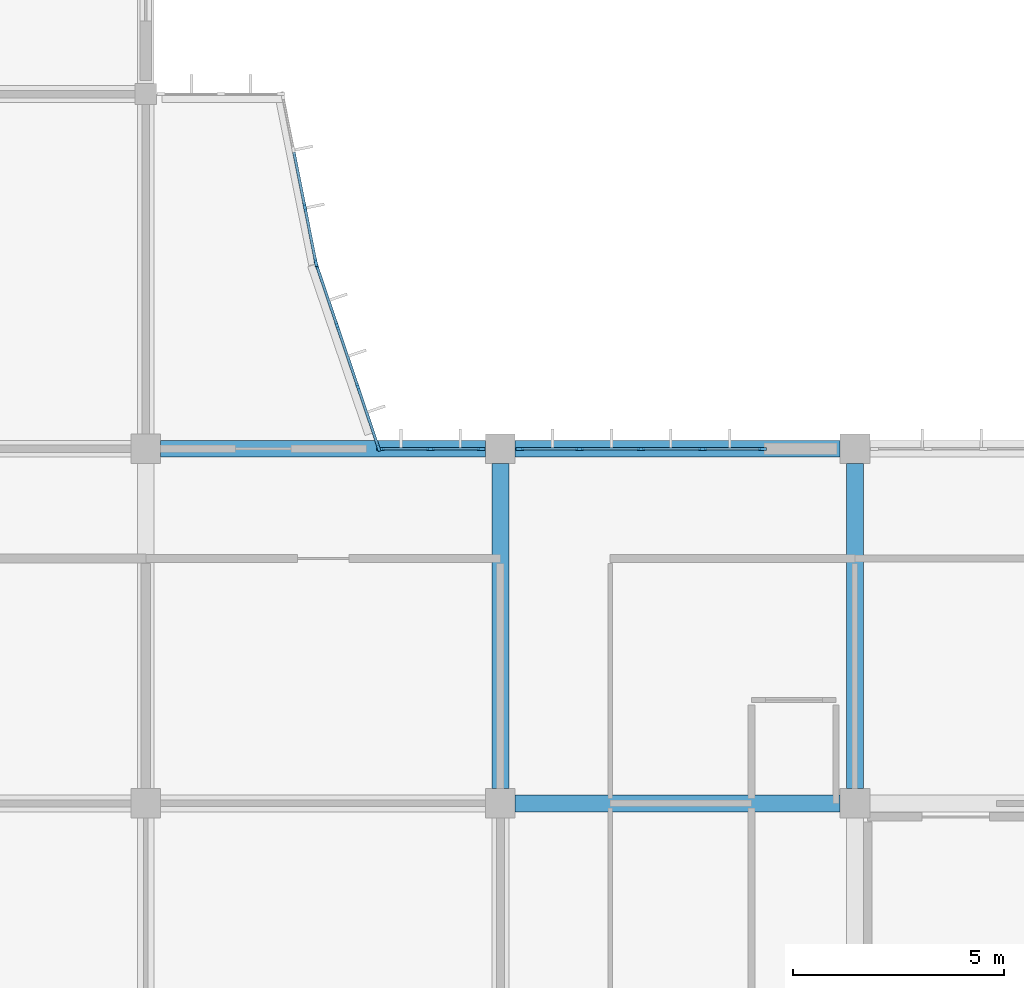
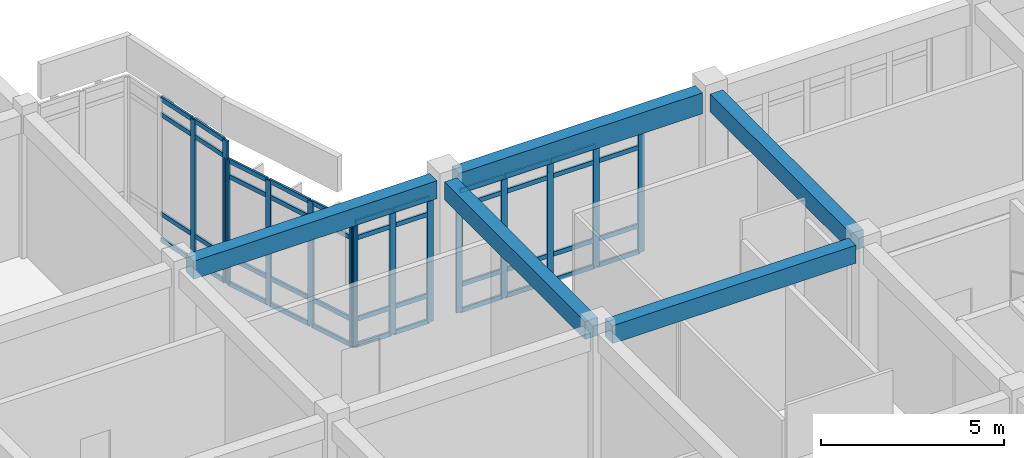
# One storey, part 56 of 134: 57 members, 5 beams, 4 elements without a shape of their own.
"""IFC4 building model written with IfcOpenShell, lengths in metres."""

from ifc_helpers import new_model, si_unit, direction, frame, origin, origin_2d, place, context, subcontext, project, spatial, rectangle, extrude, material, layer, layer_set, material_profile, profile_set, type_object, element, aggregate, save


model = new_model("IFC4")

# Units and contexts
model_context = context("Model", 3, precision=1e-05, world=origin(), true_north=direction((0.0, 1.0)))
body_context = subcontext(model_context, "Body", "Model", "MODEL_VIEW")
ifc_project = project(units=[si_unit("LENGTHUNIT", "METRE"), si_unit("AREAUNIT", "SQUARE_METRE"), si_unit("VOLUMEUNIT", "CUBIC_METRE"), si_unit("PLANEANGLEUNIT", "RADIAN"), si_unit("MASSUNIT", "GRAM", prefix="KILO")], contexts=[model_context])

# Site, building, storey
site_placement = place(None, origin())
site = spatial("IfcSite", under=ifc_project, at=site_placement, CompositionType="ELEMENT")
building_placement = place(site_placement, origin())
building = spatial("IfcBuilding", under=site, at=building_placement, Name="Bramfleet General Hospital", CompositionType="ELEMENT")
storey_placement = place(building_placement, frame((0.0, 0.0, 9.300048828125)))
storey = spatial("IfcBuildingStorey", under=building, at=storey_placement, Name="L02", CompositionType="ELEMENT", Elevation=9.300048828125)

# Beams
ifc_material_1 = material(Name="Concrete C35/45", Category="concrete")
ifc_material_profile_1 = material_profile(ifc_material_1, rectangle(XDim=0.39990234375, YDim=0.60009765625, at=origin_2d()), Name="RC BM 600x400")
ifc_profile_set_1 = profile_set([ifc_material_profile_1], Name="Concrete C35/45")
beam_type_1 = type_object("IfcBeamType", Name="BM-RC600", PredefinedType="BEAM", material=ifc_profile_set_1)
for number, where, z_axis, x_axis, name in (
    (1, (126.35009765625, 25.199951171875, 4.47998046875), (1.0, 0.0, 0.0), (0.0, 1.0, 0.0), "L02 Grid Beam X 15-03"),
    (2, (134.75, 16.800048828125, 4.47998046875), (1.0, 0.0, 0.0), (0.0, 1.0, 0.0), "L02 Grid Beam X 16-02"),
):
    element("IfcBeam", number, at=place(storey_placement, frame(where, z_axis=z_axis, x_axis=x_axis)), inside=storey, type_object=beam_type_1, Name=name, PredefinedType="BEAM", context=body_context, shape_type="SweptSolid", body=[
        extrude(rectangle(XDim=0.39990234375, YDim=0.60009765625, at=origin_2d()), origin(), (0.0, 0.0, 1.0), 7.699951171875),
    ])
for number, where, z_axis, x_axis, name in (
    (3, (134.39990234375, 17.14990234375, 4.47998046875), (0.0, 1.0, 0.0), (-1.0, 0.0, 0.0), "L02 Grid Beam Y 16-02"),
    (4, (142.800048828125, 17.14990234375, 4.47998046875), (0.0, 1.0, 0.0), (-1.0, 0.0, 0.0), "L02 Grid Beam Y 17-02"),
):
    element("IfcBeam", number, at=place(storey_placement, frame(where, z_axis=z_axis, x_axis=x_axis)), inside=storey, type_object=beam_type_1, Name=name, PredefinedType="BEAM", context=body_context, shape_type="SweptSolid", body=[
        extrude(rectangle(XDim=0.39990234375, YDim=0.60009765625, at=origin_2d()), origin(), (0.0, 0.0, 1.0), 7.7001953125),
    ])
ifc_material_profile_2 = material_profile(ifc_material_1, rectangle(XDim=0.39990234375, YDim=0.699951171875, at=origin_2d()), Name="RC SP 700x400")
ifc_profile_set_2 = profile_set([ifc_material_profile_2], Name="Concrete C35/45")
beam_type_2 = type_object("IfcBeamType", Name="BM-SP700", PredefinedType="SPANDREL", material=ifc_profile_set_2)
beam_placement = place(storey_placement, frame((134.75, 25.199951171875, 4.429931640625), z_axis=(1.0, 0.0, 0.0), x_axis=(0.0, 1.0, 0.0)))
element("IfcBeam", 5, at=beam_placement, inside=storey, type_object=beam_type_2, Name="L02 Grid Beam X 16-03", PredefinedType="SPANDREL", context=body_context, shape_type="SweptSolid", body=[
    extrude(rectangle(XDim=0.39990234375, YDim=0.699951171875, at=origin_2d()), origin(), (0.0, 0.0, 1.0), 7.699951171875),
])

# Curtain wall, members
ifc_material_2 = material(Name="Anodised aluminium and low-E triple glazing", Category="aluminium")
ifc_layer_1 = layer(ifc_material_2, 0.179931640625, Name="CWT-CW-08")
ifc_layer_set_1 = layer_set([ifc_layer_1], Name="Anodised aluminium and low-E triple glazing")
curtain_wall_type_1 = type_object("IfcCurtainWallType", Name="CWT-CW-08", PredefinedType="USERDEFINED", material=ifc_layer_set_1)
curtain_wall_1_placement = place(storey_placement, origin())
curtain_wall_1 = element("IfcCurtainWall", 6, at=curtain_wall_1_placement, inside=storey, type_object=curtain_wall_type_1, Name="L02 Curtain Wall 116", ObjectType="Unitised curtain wall", PredefinedType="USERDEFINED")
ifc_material_3 = material(Name="Structural timber GL28h", Category="wood")
ifc_material_profile_3 = material_profile(ifc_material_3, rectangle(XDim=0.070068359375, YDim=0.18994140625, at=origin_2d()), Name="LARCH 190x70")
ifc_profile_set_3 = profile_set([ifc_material_profile_3], Name="Structural timber GL28h")
member_type_1 = type_object("IfcMemberType", Name="CWM-LARCH450", PredefinedType="MULLION", material=ifc_profile_set_3)
member_1_placement = place(storey_placement, frame((129.76904296875, 30.91796875, 0.0), z_axis=(0.0, 0.0, 1.0), x_axis=(0.980749087161, 0.195272189606, 0.0)))
member_1 = element("IfcMember", 7, at=member_1_placement, type_object=member_type_1, Name="CW-08 mullion 3", PredefinedType="MULLION", context=body_context, shape_type="SweptSolid", body=[
    extrude(rectangle(XDim=0.070068359375, YDim=0.18994140625, at=origin_2d()), origin(), (0.0, 0.0, 1.0), 4.77001953125),
])
member_2_placement = place(storey_placement, frame((130.029052734375, 29.611328125, 0.0), z_axis=(0.0, 0.0, 1.0), x_axis=(0.980749087161, 0.195272189606, 0.0)))
member_2 = element("IfcMember", 8, at=member_2_placement, type_object=member_type_1, Name="CW-08 mullion 4", PredefinedType="MULLION", context=body_context, shape_type="SweptSolid", body=[
    extrude(rectangle(XDim=0.070068359375, YDim=0.18994140625, at=origin_2d()), origin(), (0.0, 0.0, 1.0), 4.77001953125),
])

ifc_layer_2 = layer(ifc_material_2, 0.179931640625, Name="CWT-CW-09")
ifc_layer_set_2 = layer_set([ifc_layer_2], Name="Anodised aluminium and low-E triple glazing")
curtain_wall_type_2 = type_object("IfcCurtainWallType", Name="CWT-CW-09", PredefinedType="USERDEFINED", material=ifc_layer_set_2)
curtain_wall_2_placement = place(storey_placement, origin())
curtain_wall_2 = element("IfcCurtainWall", 9, at=curtain_wall_2_placement, inside=storey, type_object=curtain_wall_type_2, Name="L02 Curtain Wall 117", ObjectType="Unitised curtain wall", PredefinedType="USERDEFINED")
member_3_placement = place(storey_placement, frame((130.04736328125, 29.5439453125, 0.0), z_axis=(0.0, 0.0, 1.0), x_axis=(0.94698222676, 0.321285950829, 0.0)))
member_3 = element("IfcMember", 10, at=member_3_placement, type_object=member_type_1, Name="CW-09 mullion 1", PredefinedType="MULLION", context=body_context, shape_type="SweptSolid", body=[
    extrude(rectangle(XDim=0.070068359375, YDim=0.18994140625, at=origin_2d()), origin(), (0.0, 0.0, 1.0), 4.169921875),
])
member_4_placement = place(storey_placement, frame((130.531005859375, 28.117919921875, 0.0), z_axis=(0.0, 0.0, 1.0), x_axis=(0.94698222676, 0.321285950829, 0.0)))
member_4 = element("IfcMember", 11, at=member_4_placement, type_object=member_type_1, Name="CW-09 mullion 2", PredefinedType="MULLION", context=body_context, shape_type="SweptSolid", body=[
    extrude(rectangle(XDim=0.070068359375, YDim=0.18994140625, at=origin_2d()), origin(), (0.0, 0.0, 1.0), 4.169921875),
])
member_5_placement = place(storey_placement, frame((131.02587890625, 26.658935546875, 0.0), z_axis=(0.0, 0.0, 1.0), x_axis=(0.94698222676, 0.321285950829, 0.0)))
member_5 = element("IfcMember", 12, at=member_5_placement, type_object=member_type_1, Name="CW-09 mullion 3", PredefinedType="MULLION", context=body_context, shape_type="SweptSolid", body=[
    extrude(rectangle(XDim=0.070068359375, YDim=0.18994140625, at=origin_2d()), origin(), (0.0, 0.0, 1.0), 4.169921875),
])
member_6_placement = place(storey_placement, frame((131.509765625, 25.233154296875, 0.0), z_axis=(0.0, 0.0, 1.0), x_axis=(0.94698222676, 0.321285950829, 0.0)))
member_6 = element("IfcMember", 13, at=member_6_placement, type_object=member_type_1, Name="CW-09 mullion 4", PredefinedType="MULLION", context=body_context, shape_type="SweptSolid", body=[
    extrude(rectangle(XDim=0.070068359375, YDim=0.18994140625, at=origin_2d()), origin(), (0.0, 0.0, 1.0), 4.169921875),
])

ifc_layer_3 = layer(ifc_material_2, 0.179931640625, Name="CWT-CW-10")
ifc_layer_set_3 = layer_set([ifc_layer_3], Name="Anodised aluminium and low-E triple glazing")
curtain_wall_type_3 = type_object("IfcCurtainWallType", Name="CWT-CW-10", PredefinedType="USERDEFINED", material=ifc_layer_set_3)
curtain_wall_3_placement = place(storey_placement, origin())
curtain_wall_3 = element("IfcCurtainWall", 14, at=curtain_wall_3_placement, inside=storey, type_object=curtain_wall_type_3, Name="L02 Curtain Wall 118", ObjectType="Stick curtain wall", PredefinedType="USERDEFINED")
member_7_placement = place(storey_placement, frame((131.555908203125, 25.199951171875, 0.0), z_axis=(0.0, 0.0, 1.0), x_axis=(0.0, 1.0, 0.0)))
member_7 = element("IfcMember", 15, at=member_7_placement, type_object=member_type_1, Name="CW-10 mullion 1", PredefinedType="MULLION", context=body_context, shape_type="SweptSolid", body=[
    extrude(rectangle(XDim=0.070068359375, YDim=0.18994140625, at=origin_2d()), origin(), (0.0, 0.0, 1.0), 4.169921875),
])
member_8_placement = place(storey_placement, frame((132.748046875, 25.199951171875, 0.0), z_axis=(0.0, 0.0, 1.0), x_axis=(0.0, 1.0, 0.0)))
member_8 = element("IfcMember", 16, at=member_8_placement, type_object=member_type_1, Name="CW-10 mullion 2", PredefinedType="MULLION", context=body_context, shape_type="SweptSolid", body=[
    extrude(rectangle(XDim=0.070068359375, YDim=0.18994140625, at=origin_2d()), origin(), (0.0, 0.0, 1.0), 4.169921875),
])
member_9_placement = place(storey_placement, frame((133.93994140625, 25.199951171875, 0.0), z_axis=(0.0, 0.0, 1.0), x_axis=(0.0, 1.0, 0.0)))
member_9 = element("IfcMember", 17, at=member_9_placement, type_object=member_type_1, Name="CW-10 mullion 3", PredefinedType="MULLION", context=body_context, shape_type="SweptSolid", body=[
    extrude(rectangle(XDim=0.070068359375, YDim=0.18994140625, at=origin_2d()), origin(), (0.0, 0.0, 1.0), 4.169921875),
])

ifc_layer_4 = layer(ifc_material_2, 0.179931640625, Name="CWT-CW-11")
ifc_layer_set_4 = layer_set([ifc_layer_4], Name="Anodised aluminium and low-E triple glazing")
curtain_wall_type_4 = type_object("IfcCurtainWallType", Name="CWT-CW-11", PredefinedType="USERDEFINED", material=ifc_layer_set_4)
curtain_wall_4_placement = place(storey_placement, origin())
curtain_wall_4 = element("IfcCurtainWall", 18, at=curtain_wall_4_placement, inside=storey, type_object=curtain_wall_type_4, Name="L02 Curtain Wall 119", ObjectType="Stick curtain wall", PredefinedType="USERDEFINED")
member_10_placement = place(storey_placement, frame((134.860107421875, 25.199951171875, 0.0), z_axis=(0.0, 0.0, 1.0), x_axis=(0.0, 1.0, 0.0)))
member_10 = element("IfcMember", 19, at=member_10_placement, type_object=member_type_1, Name="CW-11 mullion 1", PredefinedType="MULLION", context=body_context, shape_type="SweptSolid", body=[
    extrude(rectangle(XDim=0.070068359375, YDim=0.18994140625, at=origin_2d()), origin(), (0.0, 0.0, 1.0), 4.070068359375),
])
member_11_placement = place(storey_placement, frame((136.279052734375, 25.199951171875, 0.0), z_axis=(0.0, 0.0, 1.0), x_axis=(0.0, 1.0, 0.0)))
member_11 = element("IfcMember", 20, at=member_11_placement, type_object=member_type_1, Name="CW-11 mullion 2", PredefinedType="MULLION", context=body_context, shape_type="SweptSolid", body=[
    extrude(rectangle(XDim=0.070068359375, YDim=0.18994140625, at=origin_2d()), origin(), (0.0, 0.0, 1.0), 4.070068359375),
])
member_12_placement = place(storey_placement, frame((137.73291015625, 25.199951171875, 0.0), z_axis=(0.0, 0.0, 1.0), x_axis=(0.0, 1.0, 0.0)))
member_12 = element("IfcMember", 21, at=member_12_placement, type_object=member_type_1, Name="CW-11 mullion 3", PredefinedType="MULLION", context=body_context, shape_type="SweptSolid", body=[
    extrude(rectangle(XDim=0.070068359375, YDim=0.18994140625, at=origin_2d()), origin(), (0.0, 0.0, 1.0), 4.070068359375),
])
member_13_placement = place(storey_placement, frame((139.18701171875, 25.199951171875, 0.0), z_axis=(0.0, 0.0, 1.0), x_axis=(0.0, 1.0, 0.0)))
member_13 = element("IfcMember", 22, at=member_13_placement, type_object=member_type_1, Name="CW-11 mullion 4", PredefinedType="MULLION", context=body_context, shape_type="SweptSolid", body=[
    extrude(rectangle(XDim=0.070068359375, YDim=0.18994140625, at=origin_2d()), origin(), (0.0, 0.0, 1.0), 4.070068359375),
])
member_14_placement = place(storey_placement, frame((140.60595703125, 25.199951171875, 0.0), z_axis=(0.0, 0.0, 1.0), x_axis=(0.0, 1.0, 0.0)))
member_14 = element("IfcMember", 23, at=member_14_placement, type_object=member_type_1, Name="CW-11 mullion 5", PredefinedType="MULLION", context=body_context, shape_type="SweptSolid", body=[
    extrude(rectangle(XDim=0.070068359375, YDim=0.18994140625, at=origin_2d()), origin(), (0.0, 0.0, 1.0), 4.070068359375),
])

# Member
ifc_material_profile_4 = material_profile(ifc_material_3, rectangle(XDim=0.06494140625, YDim=0.14990234375, at=origin_2d()), Name="LARCH 150x65")
ifc_profile_set_4 = profile_set([ifc_material_profile_4], Name="Structural timber GL28h")
member_type_2 = type_object("IfcMemberType", Name="CWT-LARCH220", PredefinedType="USERDEFINED", material=ifc_profile_set_4)
member_15_placement = place(storey_placement, frame((129.5087890625, 32.224609375, 0.032470703125), z_axis=(0.195356020565, -0.98073239226, 0.0), x_axis=(0.98073239226, 0.195356020565, 0.0)))
member_15 = element("IfcMember", 24, at=member_15_placement, type_object=member_type_2, Name="CW-08 transom 2.1", ObjectType="TRANSOM", PredefinedType="USERDEFINED", context=body_context, shape_type="SweptSolid", body=[
    extrude(rectangle(XDim=0.06494140625, YDim=0.14990234375, at=origin_2d()), origin(), (0.0, 0.0, 1.0), 1.297119140625),
])

member_16_placement = place(storey_placement, frame((129.5087890625, 32.224609375, 0.89990234375), z_axis=(0.195356020565, -0.98073239226, 0.0), x_axis=(0.98073239226, 0.195356020565, 0.0)))
member_16 = element("IfcMember", 25, at=member_16_placement, type_object=member_type_2, Name="CW-08 transom 2.2", ObjectType="TRANSOM", PredefinedType="USERDEFINED", context=body_context, shape_type="SweptSolid", body=[
    extrude(rectangle(XDim=0.06494140625, YDim=0.14990234375, at=origin_2d()), origin(), (0.0, 0.0, 1.0), 1.297119140625),
])

member_17_placement = place(storey_placement, frame((129.5087890625, 32.224609375, 4.219970703125), z_axis=(0.195356020565, -0.98073239226, 0.0), x_axis=(0.98073239226, 0.195356020565, 0.0)))
member_17 = element("IfcMember", 26, at=member_17_placement, type_object=member_type_2, Name="CW-08 transom 2.3", ObjectType="TRANSOM", PredefinedType="USERDEFINED", context=body_context, shape_type="SweptSolid", body=[
    extrude(rectangle(XDim=0.06494140625, YDim=0.14990234375, at=origin_2d()), origin(), (0.0, 0.0, 1.0), 1.297119140625),
])

member_18_placement = place(storey_placement, frame((129.5087890625, 32.224609375, 4.737548828125), z_axis=(0.195356020565, -0.98073239226, 0.0), x_axis=(0.98073239226, 0.195356020565, 0.0)))
member_18 = element("IfcMember", 27, at=member_18_placement, type_object=member_type_2, Name="CW-08 transom 2.4", ObjectType="TRANSOM", PredefinedType="USERDEFINED", context=body_context, shape_type="SweptSolid", body=[
    extrude(rectangle(XDim=0.06494140625, YDim=0.14990234375, at=origin_2d()), origin(), (0.0, 0.0, 1.0), 1.297119140625),
])

member_19_placement = place(storey_placement, frame((129.77587890625, 30.8837890625, 0.032470703125), z_axis=(0.195148998153, -0.980773607169, 0.0), x_axis=(0.980773607169, 0.195148998153, 0.0)))
member_19 = element("IfcMember", 28, at=member_19_placement, type_object=member_type_2, Name="CW-08 transom 3.1", ObjectType="TRANSOM", PredefinedType="USERDEFINED", context=body_context, shape_type="SweptSolid", body=[
    extrude(rectangle(XDim=0.06494140625, YDim=0.14990234375, at=origin_2d()), origin(), (0.0, 0.0, 1.0), 1.26220703125),
])

member_20_placement = place(storey_placement, frame((129.77587890625, 30.8837890625, 0.89990234375), z_axis=(0.195148998153, -0.980773607169, 0.0), x_axis=(0.980773607169, 0.195148998153, 0.0)))
member_20 = element("IfcMember", 29, at=member_20_placement, type_object=member_type_2, Name="CW-08 transom 3.2", ObjectType="TRANSOM", PredefinedType="USERDEFINED", context=body_context, shape_type="SweptSolid", body=[
    extrude(rectangle(XDim=0.06494140625, YDim=0.14990234375, at=origin_2d()), origin(), (0.0, 0.0, 1.0), 1.26220703125),
])

member_21_placement = place(storey_placement, frame((129.77587890625, 30.8837890625, 4.219970703125), z_axis=(0.195148998153, -0.980773607169, 0.0), x_axis=(0.980773607169, 0.195148998153, 0.0)))
member_21 = element("IfcMember", 30, at=member_21_placement, type_object=member_type_2, Name="CW-08 transom 3.3", ObjectType="TRANSOM", PredefinedType="USERDEFINED", context=body_context, shape_type="SweptSolid", body=[
    extrude(rectangle(XDim=0.06494140625, YDim=0.14990234375, at=origin_2d()), origin(), (0.0, 0.0, 1.0), 1.26220703125),
])

member_22_placement = place(storey_placement, frame((129.77587890625, 30.8837890625, 4.737548828125), z_axis=(0.195148998153, -0.980773607169, 0.0), x_axis=(0.980773607169, 0.195148998153, 0.0)))
member_22 = element("IfcMember", 31, at=member_22_placement, type_object=member_type_2, Name="CW-08 transom 3.4", ObjectType="TRANSOM", PredefinedType="USERDEFINED", context=body_context, shape_type="SweptSolid", body=[
    extrude(rectangle(XDim=0.06494140625, YDim=0.14990234375, at=origin_2d()), origin(), (0.0, 0.0, 1.0), 1.26220703125),
])

aggregate(curtain_wall_1, [member_1, member_2, member_15, member_16, member_17, member_18, member_19, member_20, member_21, member_22])

member_23_placement = place(storey_placement, frame((130.05859375, 29.5107421875, 0.032470703125), z_axis=(0.321222819533, -0.947003643188, 0.0), x_axis=(0.947003643188, 0.321222819533, 0.0)))
member_23 = element("IfcMember", 32, at=member_23_placement, type_object=member_type_2, Name="CW-09 transom 1.1", ObjectType="TRANSOM", PredefinedType="USERDEFINED", context=body_context, shape_type="SweptSolid", body=[
    extrude(rectangle(XDim=0.06494140625, YDim=0.14990234375, at=origin_2d()), origin(), (0.0, 0.0, 1.0), 1.435791015625),
])

member_24_placement = place(storey_placement, frame((130.05859375, 29.5107421875, 0.89990234375), z_axis=(0.321222819533, -0.947003643188, 0.0), x_axis=(0.947003643188, 0.321222819533, 0.0)))
member_24 = element("IfcMember", 33, at=member_24_placement, type_object=member_type_2, Name="CW-09 transom 1.2", ObjectType="TRANSOM", PredefinedType="USERDEFINED", context=body_context, shape_type="SweptSolid", body=[
    extrude(rectangle(XDim=0.06494140625, YDim=0.14990234375, at=origin_2d()), origin(), (0.0, 0.0, 1.0), 1.435791015625),
])

member_25_placement = place(storey_placement, frame((130.05859375, 29.5107421875, 3.619873046875), z_axis=(0.321222819533, -0.947003643188, 0.0), x_axis=(0.947003643188, 0.321222819533, 0.0)))
member_25 = element("IfcMember", 34, at=member_25_placement, type_object=member_type_2, Name="CW-09 transom 1.3", ObjectType="TRANSOM", PredefinedType="USERDEFINED", context=body_context, shape_type="SweptSolid", body=[
    extrude(rectangle(XDim=0.06494140625, YDim=0.14990234375, at=origin_2d()), origin(), (0.0, 0.0, 1.0), 1.435791015625),
])

member_26_placement = place(storey_placement, frame((130.05859375, 29.5107421875, 4.137451171875), z_axis=(0.321222819533, -0.947003643188, 0.0), x_axis=(0.947003643188, 0.321222819533, 0.0)))
member_26 = element("IfcMember", 35, at=member_26_placement, type_object=member_type_2, Name="CW-09 transom 1.4", ObjectType="TRANSOM", PredefinedType="USERDEFINED", context=body_context, shape_type="SweptSolid", body=[
    extrude(rectangle(XDim=0.06494140625, YDim=0.14990234375, at=origin_2d()), origin(), (0.0, 0.0, 1.0), 1.435791015625),
])

member_27_placement = place(storey_placement, frame((130.542236328125, 28.0849609375, 0.032470703125), z_axis=(0.32120330539, -0.947010262144, 0.0), x_axis=(0.947010262144, 0.32120330539, 0.0)))
member_27 = element("IfcMember", 36, at=member_27_placement, type_object=member_type_2, Name="CW-09 transom 2.1", ObjectType="TRANSOM", PredefinedType="USERDEFINED", context=body_context, shape_type="SweptSolid", body=[
    extrude(rectangle(XDim=0.06494140625, YDim=0.14990234375, at=origin_2d()), origin(), (0.0, 0.0, 1.0), 1.470703125),
])

member_28_placement = place(storey_placement, frame((130.542236328125, 28.0849609375, 0.89990234375), z_axis=(0.32120330539, -0.947010262144, 0.0), x_axis=(0.947010262144, 0.32120330539, 0.0)))
member_28 = element("IfcMember", 37, at=member_28_placement, type_object=member_type_2, Name="CW-09 transom 2.2", ObjectType="TRANSOM", PredefinedType="USERDEFINED", context=body_context, shape_type="SweptSolid", body=[
    extrude(rectangle(XDim=0.06494140625, YDim=0.14990234375, at=origin_2d()), origin(), (0.0, 0.0, 1.0), 1.470703125),
])

member_29_placement = place(storey_placement, frame((130.542236328125, 28.0849609375, 3.619873046875), z_axis=(0.32120330539, -0.947010262144, 0.0), x_axis=(0.947010262144, 0.32120330539, 0.0)))
member_29 = element("IfcMember", 38, at=member_29_placement, type_object=member_type_2, Name="CW-09 transom 2.3", ObjectType="TRANSOM", PredefinedType="USERDEFINED", context=body_context, shape_type="SweptSolid", body=[
    extrude(rectangle(XDim=0.06494140625, YDim=0.14990234375, at=origin_2d()), origin(), (0.0, 0.0, 1.0), 1.470703125),
])

member_30_placement = place(storey_placement, frame((130.542236328125, 28.0849609375, 4.137451171875), z_axis=(0.32120330539, -0.947010262144, 0.0), x_axis=(0.947010262144, 0.32120330539, 0.0)))
member_30 = element("IfcMember", 39, at=member_30_placement, type_object=member_type_2, Name="CW-09 transom 2.4", ObjectType="TRANSOM", PredefinedType="USERDEFINED", context=body_context, shape_type="SweptSolid", body=[
    extrude(rectangle(XDim=0.06494140625, YDim=0.14990234375, at=origin_2d()), origin(), (0.0, 0.0, 1.0), 1.470703125),
])

member_31_placement = place(storey_placement, frame((131.037353515625, 26.6259765625, 0.032470703125), z_axis=(0.321222819533, -0.947003643188, 0.0), x_axis=(0.947003643188, 0.321222819533, 0.0)))
member_31 = element("IfcMember", 40, at=member_31_placement, type_object=member_type_2, Name="CW-09 transom 3.1", ObjectType="TRANSOM", PredefinedType="USERDEFINED", context=body_context, shape_type="SweptSolid", body=[
    extrude(rectangle(XDim=0.06494140625, YDim=0.14990234375, at=origin_2d()), origin(), (0.0, 0.0, 1.0), 1.435791015625),
])

member_32_placement = place(storey_placement, frame((131.037353515625, 26.6259765625, 0.89990234375), z_axis=(0.321222819533, -0.947003643188, 0.0), x_axis=(0.947003643188, 0.321222819533, 0.0)))
member_32 = element("IfcMember", 41, at=member_32_placement, type_object=member_type_2, Name="CW-09 transom 3.2", ObjectType="TRANSOM", PredefinedType="USERDEFINED", context=body_context, shape_type="SweptSolid", body=[
    extrude(rectangle(XDim=0.06494140625, YDim=0.14990234375, at=origin_2d()), origin(), (0.0, 0.0, 1.0), 1.435791015625),
])

member_33_placement = place(storey_placement, frame((131.037353515625, 26.6259765625, 3.619873046875), z_axis=(0.321222819533, -0.947003643188, 0.0), x_axis=(0.947003643188, 0.321222819533, 0.0)))
member_33 = element("IfcMember", 42, at=member_33_placement, type_object=member_type_2, Name="CW-09 transom 3.3", ObjectType="TRANSOM", PredefinedType="USERDEFINED", context=body_context, shape_type="SweptSolid", body=[
    extrude(rectangle(XDim=0.06494140625, YDim=0.14990234375, at=origin_2d()), origin(), (0.0, 0.0, 1.0), 1.435791015625),
])

member_34_placement = place(storey_placement, frame((131.037353515625, 26.6259765625, 4.137451171875), z_axis=(0.321222819533, -0.947003643188, 0.0), x_axis=(0.947003643188, 0.321222819533, 0.0)))
member_34 = element("IfcMember", 43, at=member_34_placement, type_object=member_type_2, Name="CW-09 transom 3.4", ObjectType="TRANSOM", PredefinedType="USERDEFINED", context=body_context, shape_type="SweptSolid", body=[
    extrude(rectangle(XDim=0.06494140625, YDim=0.14990234375, at=origin_2d()), origin(), (0.0, 0.0, 1.0), 1.435791015625),
])

aggregate(curtain_wall_2, [member_3, member_4, member_5, member_6, member_23, member_24, member_25, member_26, member_27, member_28, member_29, member_30, member_31, member_32, member_33, member_34])

member_35_placement = place(storey_placement, frame((131.591064453125, 25.199951171875, 0.032470703125), z_axis=(1.0, 0.0, 0.0), x_axis=(0.0, 1.0, 0.0)))
member_35 = element("IfcMember", 44, at=member_35_placement, type_object=member_type_2, Name="CW-10 transom 1.1", ObjectType="TRANSOM", PredefinedType="USERDEFINED", context=body_context, shape_type="SweptSolid", body=[
    extrude(rectangle(XDim=0.06494140625, YDim=0.14990234375, at=origin_2d()), origin(), (0.0, 0.0, 1.0), 1.121826171875),
])

member_36_placement = place(storey_placement, frame((131.591064453125, 25.199951171875, 0.89990234375), z_axis=(1.0, 0.0, 0.0), x_axis=(0.0, 1.0, 0.0)))
member_36 = element("IfcMember", 45, at=member_36_placement, type_object=member_type_2, Name="CW-10 transom 1.2", ObjectType="TRANSOM", PredefinedType="USERDEFINED", context=body_context, shape_type="SweptSolid", body=[
    extrude(rectangle(XDim=0.06494140625, YDim=0.14990234375, at=origin_2d()), origin(), (0.0, 0.0, 1.0), 1.121826171875),
])

member_37_placement = place(storey_placement, frame((131.591064453125, 25.199951171875, 3.619873046875), z_axis=(1.0, 0.0, 0.0), x_axis=(0.0, 1.0, 0.0)))
member_37 = element("IfcMember", 46, at=member_37_placement, type_object=member_type_2, Name="CW-10 transom 1.3", ObjectType="TRANSOM", PredefinedType="USERDEFINED", context=body_context, shape_type="SweptSolid", body=[
    extrude(rectangle(XDim=0.06494140625, YDim=0.14990234375, at=origin_2d()), origin(), (0.0, 0.0, 1.0), 1.121826171875),
])

member_38_placement = place(storey_placement, frame((131.591064453125, 25.199951171875, 4.137451171875), z_axis=(1.0, 0.0, 0.0), x_axis=(0.0, 1.0, 0.0)))
member_38 = element("IfcMember", 47, at=member_38_placement, type_object=member_type_2, Name="CW-10 transom 1.4", ObjectType="TRANSOM", PredefinedType="USERDEFINED", context=body_context, shape_type="SweptSolid", body=[
    extrude(rectangle(XDim=0.06494140625, YDim=0.14990234375, at=origin_2d()), origin(), (0.0, 0.0, 1.0), 1.121826171875),
])

member_39_placement = place(storey_placement, frame((132.782958984375, 25.199951171875, 0.032470703125), z_axis=(1.0, 0.0, 0.0), x_axis=(0.0, 1.0, 0.0)))
member_39 = element("IfcMember", 48, at=member_39_placement, type_object=member_type_2, Name="CW-10 transom 2.1", ObjectType="TRANSOM", PredefinedType="USERDEFINED", context=body_context, shape_type="SweptSolid", body=[
    extrude(rectangle(XDim=0.06494140625, YDim=0.14990234375, at=origin_2d()), origin(), (0.0, 0.0, 1.0), 1.1220703125),
])

member_40_placement = place(storey_placement, frame((132.782958984375, 25.199951171875, 0.89990234375), z_axis=(1.0, 0.0, 0.0), x_axis=(0.0, 1.0, 0.0)))
member_40 = element("IfcMember", 49, at=member_40_placement, type_object=member_type_2, Name="CW-10 transom 2.2", ObjectType="TRANSOM", PredefinedType="USERDEFINED", context=body_context, shape_type="SweptSolid", body=[
    extrude(rectangle(XDim=0.06494140625, YDim=0.14990234375, at=origin_2d()), origin(), (0.0, 0.0, 1.0), 1.1220703125),
])

member_41_placement = place(storey_placement, frame((132.782958984375, 25.199951171875, 3.619873046875), z_axis=(1.0, 0.0, 0.0), x_axis=(0.0, 1.0, 0.0)))
member_41 = element("IfcMember", 50, at=member_41_placement, type_object=member_type_2, Name="CW-10 transom 2.3", ObjectType="TRANSOM", PredefinedType="USERDEFINED", context=body_context, shape_type="SweptSolid", body=[
    extrude(rectangle(XDim=0.06494140625, YDim=0.14990234375, at=origin_2d()), origin(), (0.0, 0.0, 1.0), 1.1220703125),
])

member_42_placement = place(storey_placement, frame((132.782958984375, 25.199951171875, 4.137451171875), z_axis=(1.0, 0.0, 0.0), x_axis=(0.0, 1.0, 0.0)))
member_42 = element("IfcMember", 51, at=member_42_placement, type_object=member_type_2, Name="CW-10 transom 2.4", ObjectType="TRANSOM", PredefinedType="USERDEFINED", context=body_context, shape_type="SweptSolid", body=[
    extrude(rectangle(XDim=0.06494140625, YDim=0.14990234375, at=origin_2d()), origin(), (0.0, 0.0, 1.0), 1.1220703125),
])

aggregate(curtain_wall_3, [member_7, member_8, member_9, member_35, member_36, member_37, member_38, member_39, member_40, member_41, member_42])

member_43_placement = place(storey_placement, frame((134.89501953125, 25.199951171875, 0.032470703125), z_axis=(1.0, 0.0, 0.0), x_axis=(0.0, 1.0, 0.0)))
member_43 = element("IfcMember", 52, at=member_43_placement, type_object=member_type_2, Name="CW-11 transom 1.1", ObjectType="TRANSOM", PredefinedType="USERDEFINED", context=body_context, shape_type="SweptSolid", body=[
    extrude(rectangle(XDim=0.06494140625, YDim=0.14990234375, at=origin_2d()), origin(), (0.0, 0.0, 1.0), 1.348876953125),
])

member_44_placement = place(storey_placement, frame((134.89501953125, 25.199951171875, 0.89990234375), z_axis=(1.0, 0.0, 0.0), x_axis=(0.0, 1.0, 0.0)))
member_44 = element("IfcMember", 53, at=member_44_placement, type_object=member_type_2, Name="CW-11 transom 1.2", ObjectType="TRANSOM", PredefinedType="USERDEFINED", context=body_context, shape_type="SweptSolid", body=[
    extrude(rectangle(XDim=0.06494140625, YDim=0.14990234375, at=origin_2d()), origin(), (0.0, 0.0, 1.0), 1.348876953125),
])

member_45_placement = place(storey_placement, frame((134.89501953125, 25.199951171875, 3.52001953125), z_axis=(1.0, 0.0, 0.0), x_axis=(0.0, 1.0, 0.0)))
member_45 = element("IfcMember", 54, at=member_45_placement, type_object=member_type_2, Name="CW-11 transom 1.3", ObjectType="TRANSOM", PredefinedType="USERDEFINED", context=body_context, shape_type="SweptSolid", body=[
    extrude(rectangle(XDim=0.06494140625, YDim=0.14990234375, at=origin_2d()), origin(), (0.0, 0.0, 1.0), 1.348876953125),
])

member_46_placement = place(storey_placement, frame((134.89501953125, 25.199951171875, 4.037353515625), z_axis=(1.0, 0.0, 0.0), x_axis=(0.0, 1.0, 0.0)))
member_46 = element("IfcMember", 55, at=member_46_placement, type_object=member_type_2, Name="CW-11 transom 1.4", ObjectType="TRANSOM", PredefinedType="USERDEFINED", context=body_context, shape_type="SweptSolid", body=[
    extrude(rectangle(XDim=0.06494140625, YDim=0.14990234375, at=origin_2d()), origin(), (0.0, 0.0, 1.0), 1.348876953125),
])

member_47_placement = place(storey_placement, frame((136.31396484375, 25.199951171875, 0.032470703125), z_axis=(1.0, 0.0, 0.0), x_axis=(0.0, 1.0, 0.0)))
member_47 = element("IfcMember", 56, at=member_47_placement, type_object=member_type_2, Name="CW-11 transom 2.1", ObjectType="TRANSOM", PredefinedType="USERDEFINED", context=body_context, shape_type="SweptSolid", body=[
    extrude(rectangle(XDim=0.06494140625, YDim=0.14990234375, at=origin_2d()), origin(), (0.0, 0.0, 1.0), 1.384033203125),
])

member_48_placement = place(storey_placement, frame((136.31396484375, 25.199951171875, 0.89990234375), z_axis=(1.0, 0.0, 0.0), x_axis=(0.0, 1.0, 0.0)))
member_48 = element("IfcMember", 57, at=member_48_placement, type_object=member_type_2, Name="CW-11 transom 2.2", ObjectType="TRANSOM", PredefinedType="USERDEFINED", context=body_context, shape_type="SweptSolid", body=[
    extrude(rectangle(XDim=0.06494140625, YDim=0.14990234375, at=origin_2d()), origin(), (0.0, 0.0, 1.0), 1.384033203125),
])

member_49_placement = place(storey_placement, frame((136.31396484375, 25.199951171875, 3.52001953125), z_axis=(1.0, 0.0, 0.0), x_axis=(0.0, 1.0, 0.0)))
member_49 = element("IfcMember", 58, at=member_49_placement, type_object=member_type_2, Name="CW-11 transom 2.3", ObjectType="TRANSOM", PredefinedType="USERDEFINED", context=body_context, shape_type="SweptSolid", body=[
    extrude(rectangle(XDim=0.06494140625, YDim=0.14990234375, at=origin_2d()), origin(), (0.0, 0.0, 1.0), 1.384033203125),
])

member_50_placement = place(storey_placement, frame((136.31396484375, 25.199951171875, 4.037353515625), z_axis=(1.0, 0.0, 0.0), x_axis=(0.0, 1.0, 0.0)))
member_50 = element("IfcMember", 59, at=member_50_placement, type_object=member_type_2, Name="CW-11 transom 2.4", ObjectType="TRANSOM", PredefinedType="USERDEFINED", context=body_context, shape_type="SweptSolid", body=[
    extrude(rectangle(XDim=0.06494140625, YDim=0.14990234375, at=origin_2d()), origin(), (0.0, 0.0, 1.0), 1.384033203125),
])

member_51_placement = place(storey_placement, frame((137.76806640625, 25.199951171875, 0.032470703125), z_axis=(1.0, 0.0, 0.0), x_axis=(0.0, 1.0, 0.0)))
member_51 = element("IfcMember", 60, at=member_51_placement, type_object=member_type_2, Name="CW-11 transom 3.1", ObjectType="TRANSOM", PredefinedType="USERDEFINED", context=body_context, shape_type="SweptSolid", body=[
    extrude(rectangle(XDim=0.06494140625, YDim=0.14990234375, at=origin_2d()), origin(), (0.0, 0.0, 1.0), 1.384033203125),
])

member_52_placement = place(storey_placement, frame((137.76806640625, 25.199951171875, 0.89990234375), z_axis=(1.0, 0.0, 0.0), x_axis=(0.0, 1.0, 0.0)))
member_52 = element("IfcMember", 61, at=member_52_placement, type_object=member_type_2, Name="CW-11 transom 3.2", ObjectType="TRANSOM", PredefinedType="USERDEFINED", context=body_context, shape_type="SweptSolid", body=[
    extrude(rectangle(XDim=0.06494140625, YDim=0.14990234375, at=origin_2d()), origin(), (0.0, 0.0, 1.0), 1.384033203125),
])

member_53_placement = place(storey_placement, frame((137.76806640625, 25.199951171875, 3.52001953125), z_axis=(1.0, 0.0, 0.0), x_axis=(0.0, 1.0, 0.0)))
member_53 = element("IfcMember", 62, at=member_53_placement, type_object=member_type_2, Name="CW-11 transom 3.3", ObjectType="TRANSOM", PredefinedType="USERDEFINED", context=body_context, shape_type="SweptSolid", body=[
    extrude(rectangle(XDim=0.06494140625, YDim=0.14990234375, at=origin_2d()), origin(), (0.0, 0.0, 1.0), 1.384033203125),
])

member_54_placement = place(storey_placement, frame((137.76806640625, 25.199951171875, 4.037353515625), z_axis=(1.0, 0.0, 0.0), x_axis=(0.0, 1.0, 0.0)))
member_54 = element("IfcMember", 63, at=member_54_placement, type_object=member_type_2, Name="CW-11 transom 3.4", ObjectType="TRANSOM", PredefinedType="USERDEFINED", context=body_context, shape_type="SweptSolid", body=[
    extrude(rectangle(XDim=0.06494140625, YDim=0.14990234375, at=origin_2d()), origin(), (0.0, 0.0, 1.0), 1.384033203125),
])

member_55_placement = place(storey_placement, frame((139.221923828125, 25.199951171875, 0.032470703125), z_axis=(1.0, 0.0, 0.0), x_axis=(0.0, 1.0, 0.0)))
member_55 = element("IfcMember", 64, at=member_55_placement, type_object=member_type_2, Name="CW-11 transom 4.1", ObjectType="TRANSOM", PredefinedType="USERDEFINED", context=body_context, shape_type="SweptSolid", body=[
    extrude(rectangle(XDim=0.06494140625, YDim=0.14990234375, at=origin_2d()), origin(), (0.0, 0.0, 1.0), 1.34912109375),
])

member_56_placement = place(storey_placement, frame((139.221923828125, 25.199951171875, 0.89990234375), z_axis=(1.0, 0.0, 0.0), x_axis=(0.0, 1.0, 0.0)))
member_56 = element("IfcMember", 65, at=member_56_placement, type_object=member_type_2, Name="CW-11 transom 4.2", ObjectType="TRANSOM", PredefinedType="USERDEFINED", context=body_context, shape_type="SweptSolid", body=[
    extrude(rectangle(XDim=0.06494140625, YDim=0.14990234375, at=origin_2d()), origin(), (0.0, 0.0, 1.0), 1.34912109375),
])

member_57_placement = place(storey_placement, frame((139.221923828125, 25.199951171875, 3.52001953125), z_axis=(1.0, 0.0, 0.0), x_axis=(0.0, 1.0, 0.0)))
member_57 = element("IfcMember", 66, at=member_57_placement, type_object=member_type_2, Name="CW-11 transom 4.3", ObjectType="TRANSOM", PredefinedType="USERDEFINED", context=body_context, shape_type="SweptSolid", body=[
    extrude(rectangle(XDim=0.06494140625, YDim=0.14990234375, at=origin_2d()), origin(), (0.0, 0.0, 1.0), 1.34912109375),
])

aggregate(curtain_wall_4, [member_10, member_11, member_12, member_13, member_14, member_43, member_44, member_45, member_46, member_47, member_48, member_49, member_50, member_51, member_52, member_53, member_54, member_55, member_56, member_57])

save(model, "model.ifc")
